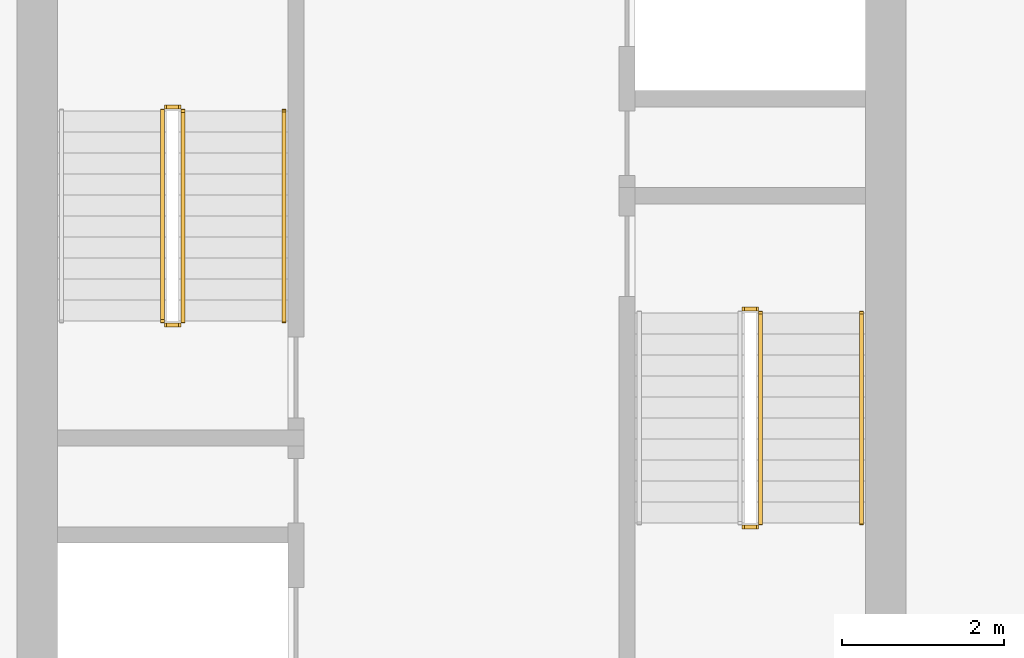
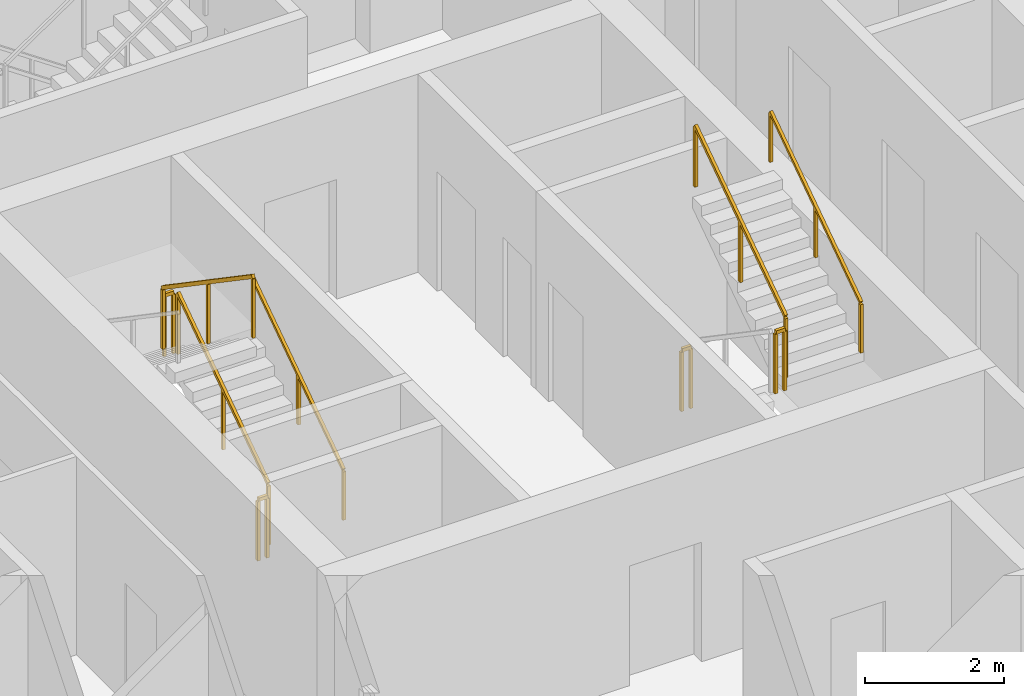
# One storey, part 12 of 15: 9 railings.
"""IFC4 building model written with IfcOpenShell, lengths in metres."""

from ifc_helpers import new_model, si_unit, direction, frame, origin, origin_2d, place, context, subcontext, project, spatial, rectangle, extrude, material, type_object, element, save


model = new_model("IFC4")

# Units and contexts
model_context = context("Model", 3, precision=1e-05, world=origin(), true_north=direction((0.0, 1.0)))
body_context = subcontext(model_context, "Body", "Model", "MODEL_VIEW")
ifc_project = project(units=[si_unit("LENGTHUNIT", "METRE"), si_unit("AREAUNIT", "SQUARE_METRE"), si_unit("VOLUMEUNIT", "CUBIC_METRE"), si_unit("PLANEANGLEUNIT", "RADIAN"), si_unit("MASSUNIT", "GRAM", prefix="KILO")], contexts=[model_context])

# Site, building, storey
site_placement = place(None, origin())
site = spatial("IfcSite", under=ifc_project, at=site_placement, CompositionType="ELEMENT")
building_placement = place(site_placement, origin())
building = spatial("IfcBuilding", under=site, at=building_placement, Name="Khepri Terraces", CompositionType="ELEMENT")
storey_placement = place(building_placement, frame((0.0, 0.0, 165.0)))
storey = spatial("IfcBuildingStorey", under=building, at=storey_placement, Name="L39", CompositionType="ELEMENT", Elevation=165.0)

# Railings
ifc_material = material(Name="Stainless steel 316", Category="steel")
railing_type_1 = type_object("IfcRailingType", Name="RL-CORE-GUARD", PredefinedType="GUARDRAIL", material=ifc_material)
railing_1_placement = place(storey_placement, frame((-3.449951171875, -0.050048828125, 0.17724609375)))
element("IfcRailing", 1, at=railing_1_placement, inside=storey, type_object=railing_type_1, Name="L39 ST-1 stair guard 1", PredefinedType="GUARDRAIL", context=body_context, shape_type="SweptSolid", body=[
    extrude(rectangle(XDim=0.050048828125, YDim=0.06005859375, at=origin_2d()), frame((0.0, 0.0, 1.070068359375), z_axis=(0.0, 0.826240473404, 0.563317565952), x_axis=(-1.0, 0.0, 0.0)), (0.0, 0.0, 1.0), 3.14697265625),
    extrude(rectangle(XDim=0.050048828125, YDim=0.050048828125, at=origin_2d()), origin(), (0.0, 0.0, 1.0), 1.0400390625),
    extrude(rectangle(XDim=0.050048828125, YDim=0.050048828125, at=origin_2d()), frame((0.0, 1.300048828125, 0.88623046875)), (0.0, 0.0, 1.0), 1.0400390625),
    extrude(rectangle(XDim=0.050048828125, YDim=0.050048828125, at=origin_2d()), frame((0.0, 2.60009765625, 1.772705078125)), (0.0, 0.0, 1.0), 1.0400390625),
])
railing_2_placement = place(storey_placement, frame((-3.5, 2.60009765625, 1.949951171875)))
element("IfcRailing", 2, at=railing_2_placement, inside=storey, type_object=railing_type_1, Name="L39 ST-1 stair guard 2", PredefinedType="GUARDRAIL", context=body_context, shape_type="SweptSolid", body=[
    extrude(rectangle(XDim=0.050048828125, YDim=0.06005859375, at=origin_2d()), frame((0.0, 0.0, 1.070068359375), z_axis=(-1.0, 0.0, 0.0), x_axis=(0.0, -1.0, 0.0)), (0.0, 0.0, 1.0), 0.14990234375),
    extrude(rectangle(XDim=0.050048828125, YDim=0.050048828125, at=origin_2d()), origin(), (0.0, 0.0, 1.0), 1.0400390625),
    extrude(rectangle(XDim=0.050048828125, YDim=0.050048828125, at=origin_2d()), frame((-0.14990234375, 0.0, 0.0)), (0.0, 0.0, 1.0), 1.0400390625),
])
railing_3_placement = place(storey_placement, frame((-3.699951171875, 2.550048828125, 2.127197265625)))
element("IfcRailing", 3, at=railing_3_placement, inside=storey, type_object=railing_type_1, Name="L39 ST-1 stair guard 3", PredefinedType="GUARDRAIL", context=body_context, shape_type="SweptSolid", body=[
    extrude(rectangle(XDim=0.050048828125, YDim=0.06005859375, at=origin_2d()), frame((0.0, 0.0, 1.070068359375), z_axis=(0.0, -0.826240473404, 0.563317565952), x_axis=(1.0, 0.0, 0.0)), (0.0, 0.0, 1.0), 3.14697265625),
    extrude(rectangle(XDim=0.050048828125, YDim=0.050048828125, at=origin_2d()), origin(), (0.0, 0.0, 1.0), 1.0400390625),
    extrude(rectangle(XDim=0.050048828125, YDim=0.050048828125, at=origin_2d()), frame((0.0, -1.300048828125, 0.88623046875)), (0.0, 0.0, 1.0), 1.0400390625),
    extrude(rectangle(XDim=0.050048828125, YDim=0.050048828125, at=origin_2d()), frame((0.0, -2.60009765625, 1.772705078125)), (0.0, 0.0, 1.0), 1.0400390625),
])
railing_4_placement = place(storey_placement, frame((-3.5, -0.10009765625, 0.0)))
element("IfcRailing", 4, at=railing_4_placement, inside=storey, type_object=railing_type_1, Name="L39 ST-1 stair guard 4", PredefinedType="GUARDRAIL", context=body_context, shape_type="SweptSolid", body=[
    extrude(rectangle(XDim=0.050048828125, YDim=0.06005859375, at=origin_2d()), frame((0.0, 0.0, 1.070068359375), z_axis=(-1.0, 0.0, 0.0), x_axis=(0.0, -1.0, 0.0)), (0.0, 0.0, 1.0), 0.14990234375),
    extrude(rectangle(XDim=0.050048828125, YDim=0.050048828125, at=origin_2d()), origin(), (0.0, 0.0, 1.0), 1.0400390625),
    extrude(rectangle(XDim=0.050048828125, YDim=0.050048828125, at=origin_2d()), frame((-0.14990234375, 0.0, 0.0)), (0.0, 0.0, 1.0), 1.0400390625),
])
railing_5_placement = place(storey_placement, frame((3.5, -2.60009765625, 1.949951171875)))
element("IfcRailing", 5, at=railing_5_placement, inside=storey, type_object=railing_type_1, Name="L39 ST-2 stair guard 2", PredefinedType="GUARDRAIL", context=body_context, shape_type="SweptSolid", body=[
    extrude(rectangle(XDim=0.050048828125, YDim=0.06005859375, at=origin_2d()), frame((0.0, 0.0, 1.070068359375), z_axis=(1.0, 0.0, 0.0), x_axis=(0.0, 1.0, 0.0)), (0.0, 0.0, 1.0), 0.14990234375),
    extrude(rectangle(XDim=0.050048828125, YDim=0.050048828125, at=origin_2d()), origin(), (0.0, 0.0, 1.0), 1.0400390625),
    extrude(rectangle(XDim=0.050048828125, YDim=0.050048828125, at=origin_2d()), frame((0.14990234375, 0.0, 0.0)), (0.0, 0.0, 1.0), 1.0400390625),
])
railing_6_placement = place(storey_placement, frame((3.699951171875, -2.550048828125, 2.127197265625)))
element("IfcRailing", 6, at=railing_6_placement, inside=storey, type_object=railing_type_1, Name="L39 ST-2 stair guard 3", PredefinedType="GUARDRAIL", context=body_context, shape_type="SweptSolid", body=[
    extrude(rectangle(XDim=0.050048828125, YDim=0.06005859375, at=origin_2d()), frame((0.0, 0.0, 1.070068359375), z_axis=(0.0, 0.826240473404, 0.563317565952), x_axis=(-1.0, 0.0, 0.0)), (0.0, 0.0, 1.0), 3.14697265625),
    extrude(rectangle(XDim=0.050048828125, YDim=0.050048828125, at=origin_2d()), origin(), (0.0, 0.0, 1.0), 1.0400390625),
    extrude(rectangle(XDim=0.050048828125, YDim=0.050048828125, at=origin_2d()), frame((0.0, 1.300048828125, 0.88623046875)), (0.0, 0.0, 1.0), 1.0400390625),
    extrude(rectangle(XDim=0.050048828125, YDim=0.050048828125, at=origin_2d()), frame((0.0, 2.60009765625, 1.772705078125)), (0.0, 0.0, 1.0), 1.0400390625),
])
railing_7_placement = place(storey_placement, frame((3.5, 0.10009765625, 0.0)))
element("IfcRailing", 7, at=railing_7_placement, inside=storey, type_object=railing_type_1, Name="L39 ST-2 stair guard 4", PredefinedType="GUARDRAIL", context=body_context, shape_type="SweptSolid", body=[
    extrude(rectangle(XDim=0.050048828125, YDim=0.06005859375, at=origin_2d()), frame((0.0, 0.0, 1.070068359375), z_axis=(1.0, 0.0, 0.0), x_axis=(0.0, 1.0, 0.0)), (0.0, 0.0, 1.0), 0.14990234375),
    extrude(rectangle(XDim=0.050048828125, YDim=0.050048828125, at=origin_2d()), origin(), (0.0, 0.0, 1.0), 1.0400390625),
    extrude(rectangle(XDim=0.050048828125, YDim=0.050048828125, at=origin_2d()), frame((0.14990234375, 0.0, 0.0)), (0.0, 0.0, 1.0), 1.0400390625),
])
railing_type_2 = type_object("IfcRailingType", Name="RL-CORE-HANDRAIL", PredefinedType="HANDRAIL", material=ifc_material)
for number, where, name in (
    (8, (-2.199951171875, -0.050048828125, 0.17724609375), "L39 ST-1 stair handrail 1"),
    (9, (4.949951171875, -2.550048828125, 2.127197265625), "L39 ST-2 stair handrail 2"),
):
    element("IfcRailing", number, at=place(storey_placement, frame(where)), inside=storey, type_object=railing_type_2, Name=name, PredefinedType="HANDRAIL", context=body_context, shape_type="SweptSolid", body=[
        extrude(rectangle(XDim=0.050048828125, YDim=0.050048828125, at=origin_2d()), frame((0.0, 0.0, 0.875), z_axis=(0.0, 0.826240473404, 0.563317565952), x_axis=(-1.0, 0.0, 0.0)), (0.0, 0.0, 1.0), 3.14697265625),
        extrude(rectangle(XDim=0.050048828125, YDim=0.050048828125, at=origin_2d()), origin(), (0.0, 0.0, 1.0), 0.849853515625),
        extrude(rectangle(XDim=0.050048828125, YDim=0.050048828125, at=origin_2d()), frame((0.0, 1.300048828125, 0.88623046875)), (0.0, 0.0, 1.0), 0.849853515625),
        extrude(rectangle(XDim=0.050048828125, YDim=0.050048828125, at=origin_2d()), frame((0.0, 2.60009765625, 1.772705078125)), (0.0, 0.0, 1.0), 0.849853515625),
    ])

save(model, "model.ifc")
